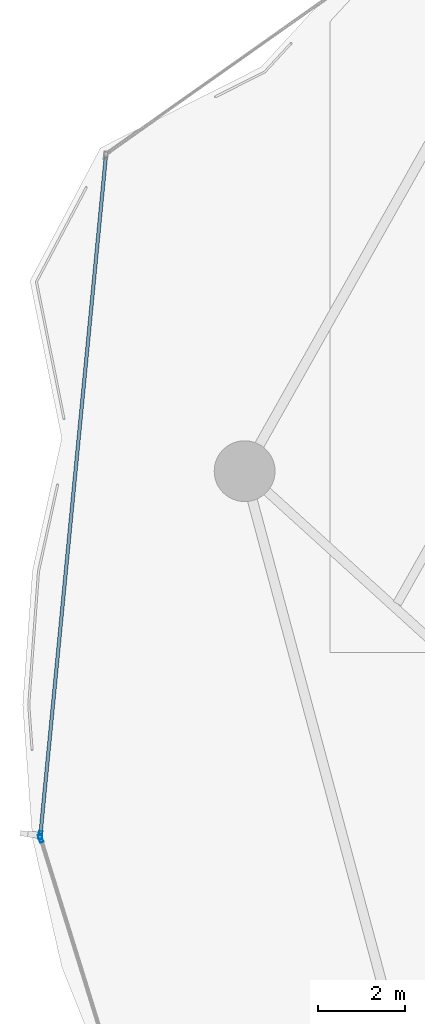
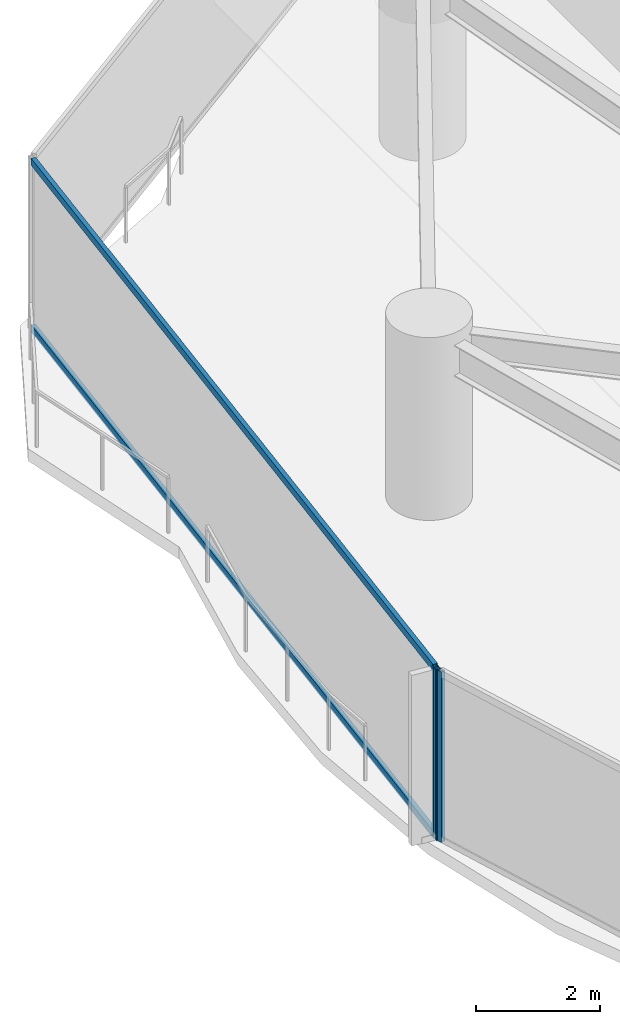
# One storey, part 8 of 31: 4 members, 2 elements without a shape of their own.
"""IFC4 building model written with IfcOpenShell, lengths in metres."""

from ifc_helpers import new_model, si_unit, direction, frame, origin, origin_2d, place, context, subcontext, project, spatial, hollow_rectangle, extrude, material, layer, layer_set, material_profile, profile_set, type_object, element, aggregate, save


model = new_model("IFC4")

# Units and contexts
model_context = context("Model", 3, precision=1e-05, world=origin(), true_north=direction((0.0, 1.0)))
body_context = subcontext(model_context, "Body", "Model", "MODEL_VIEW")
ifc_project = project(units=[si_unit("LENGTHUNIT", "METRE"), si_unit("AREAUNIT", "SQUARE_METRE"), si_unit("VOLUMEUNIT", "CUBIC_METRE"), si_unit("PLANEANGLEUNIT", "RADIAN"), si_unit("MASSUNIT", "GRAM", prefix="KILO")], contexts=[model_context])

# Site, building, storey
site_placement = place(None, origin())
site = spatial("IfcSite", under=ifc_project, at=site_placement, CompositionType="ELEMENT")
building_placement = place(site_placement, origin())
building = spatial("IfcBuilding", under=site, at=building_placement, Name="Kazevale Care Tower and Concert Hall", CompositionType="ELEMENT")
storey_placement = place(building_placement, frame((0.0, 0.0, 56.39990234375)))
storey = spatial("IfcBuildingStorey", under=building, at=storey_placement, Name="L14", CompositionType="ELEMENT", Elevation=56.39990234375)

# Curtain wall, member
ifc_material_1 = material(Name="Aluminium 6063-T6 and Low-E Glass", Category="aluminium")
ifc_layer = layer(ifc_material_1, 0.179931640625)
ifc_layer_set = layer_set([ifc_layer], Name="Aluminium 6063-T6 and Low-E Glass")
curtain_wall_type = type_object("IfcCurtainWallType", Name="Waist & Upper Residential Curtain Wall CW-4", PredefinedType="NOTDEFINED", material=ifc_layer_set)
curtain_wall_1_placement = place(storey_placement, origin())
curtain_wall_1 = element("IfcCurtainWall", 1, at=curtain_wall_1_placement, inside=storey, type_object=curtain_wall_type, Name="cw:L14:f12", PredefinedType="NOTDEFINED")
ifc_material_2 = material(Name="Aluminium 6063-T6", Category="aluminium")
ifc_material_profile_1 = material_profile(ifc_material_2, hollow_rectangle(XDim=0.080078125, YDim=0.179931640625, WallThickness=0.0048828125, at=origin_2d()), Name="ALU80x180x5")
ifc_profile_set_1 = profile_set([ifc_material_profile_1], Name="Aluminium 6063-T6")
member_type_1 = type_object("IfcMemberType", Name="CW-4 Mullion ALU80x180x5", PredefinedType="MULLION", material=ifc_profile_set_1)
member_1_placement = place(storey_placement, frame((9.61572265625, 34.919677734375, 0.0), z_axis=(0.0, 0.0, 1.0), x_axis=(-0.955157326175, -0.296098771112, 0.0)))
member_1 = element("IfcMember", 2, at=member_1_placement, type_object=member_type_1, Name="CW-4 mullion 2", PredefinedType="MULLION", context=body_context, shape_type="SweptSolid", body=[
    extrude(hollow_rectangle(XDim=0.080078125, YDim=0.179931640625, WallThickness=0.0048828125, at=origin_2d()), origin(), (0.0, 0.0, 1.0), 3.360107421875),
])
aggregate(curtain_wall_1, [member_1])

# Curtain wall, members
curtain_wall_2_placement = place(storey_placement, origin())
curtain_wall_2 = element("IfcCurtainWall", 3, at=curtain_wall_2_placement, inside=storey, type_object=curtain_wall_type, Name="cw:L14:f13", PredefinedType="NOTDEFINED")
member_2_placement = place(storey_placement, frame((9.60791015625, 34.997802734375, 0.0), z_axis=(0.0, 0.0, 1.0), x_axis=(-0.995380693067, 0.096006644923, 0.0)))
member_2 = element("IfcMember", 4, at=member_2_placement, type_object=member_type_1, Name="CW-4 mullion 1", PredefinedType="MULLION", context=body_context, shape_type="SweptSolid", body=[
    extrude(hollow_rectangle(XDim=0.080078125, YDim=0.179931640625, WallThickness=0.0048828125, at=origin_2d()), origin(), (0.0, 0.0, 1.0), 3.360107421875),
])
ifc_material_profile_2 = material_profile(ifc_material_2, hollow_rectangle(XDim=0.080078125, YDim=0.139892578125, WallThickness=0.00390625, at=origin_2d()), Name="ALU80x140x4")
ifc_profile_set_2 = profile_set([ifc_material_profile_2], Name="Aluminium 6063-T6")
member_type_2 = type_object("IfcMemberType", Name="CW-4 Transom ALU80x140x4", PredefinedType="USERDEFINED", material=ifc_profile_set_2)
member_3_placement = place(storey_placement, frame((9.611572265625, 35.03759765625, 0.0400390625), z_axis=(0.096010418756, 0.995380329065, 0.0), x_axis=(-0.995380329065, 0.096010418756, 0.0)))
member_3 = element("IfcMember", 5, at=member_3_placement, type_object=member_type_2, Name="CW-4 transom 1.1", ObjectType="TRANSOM", PredefinedType="USERDEFINED", context=body_context, shape_type="SweptSolid", body=[
    extrude(hollow_rectangle(XDim=0.080078125, YDim=0.139892578125, WallThickness=0.00390625, at=origin_2d()), origin(), (0.0, 0.0, 1.0), 15.64111328125),
])
member_4_placement = place(storey_placement, frame((9.611572265625, 35.03759765625, 3.320068359375), z_axis=(0.096010418756, 0.995380329065, 0.0), x_axis=(-0.995380329065, 0.096010418756, 0.0)))
member_4 = element("IfcMember", 6, at=member_4_placement, type_object=member_type_2, Name="CW-4 transom 1.2", ObjectType="TRANSOM", PredefinedType="USERDEFINED", context=body_context, shape_type="SweptSolid", body=[
    extrude(hollow_rectangle(XDim=0.080078125, YDim=0.139892578125, WallThickness=0.00390625, at=origin_2d()), origin(), (0.0, 0.0, 1.0), 15.64111328125),
])
aggregate(curtain_wall_2, [member_2, member_3, member_4])

save(model, "model.ifc")
